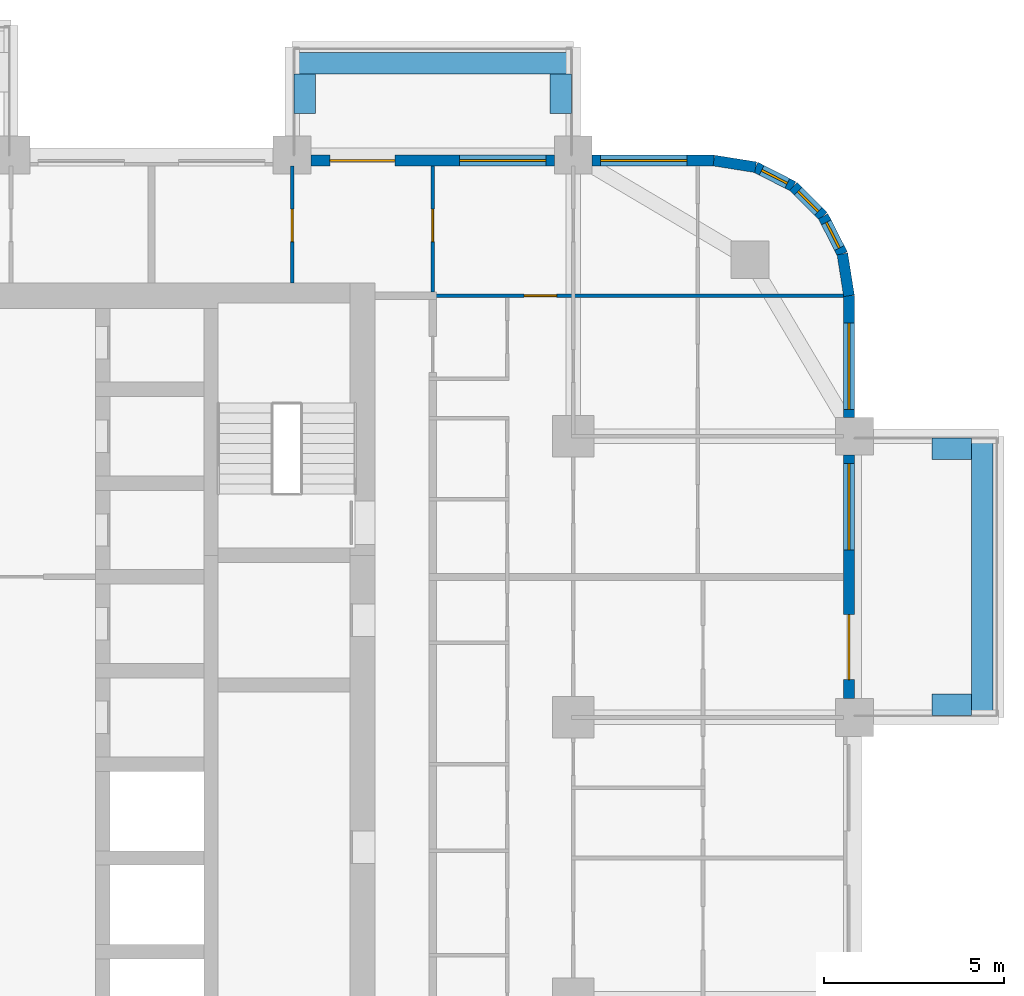
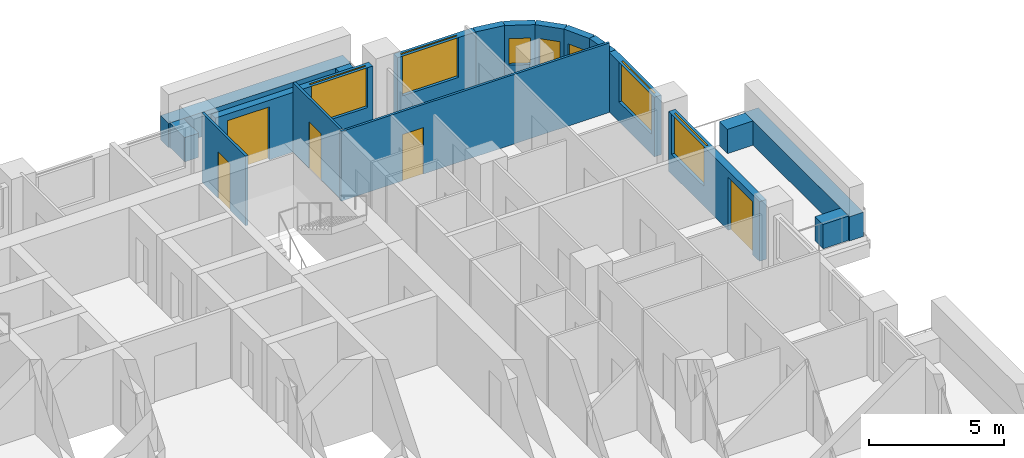
# One storey, part 13 of 17: 18 walls, 7 windows, 5 doors, 12 openings.
"""IFC4 building model written with IfcOpenShell, lengths in metres."""

from ifc_helpers import new_model, si_unit, direction, frame, frame_2d, origin, place, context, subcontext, project, spatial, rectangle, extrude, material, layer, layer_set, type_object, element, fill, save


model = new_model("IFC4")

# Units and contexts
model_context = context("Model", 3, precision=1e-05, world=origin(), true_north=direction((0.0, 1.0)))
body_context = subcontext(model_context, "Body", "Model", "MODEL_VIEW")
ifc_project = project(units=[si_unit("LENGTHUNIT", "METRE"), si_unit("AREAUNIT", "SQUARE_METRE"), si_unit("VOLUMEUNIT", "CUBIC_METRE"), si_unit("PLANEANGLEUNIT", "RADIAN"), si_unit("MASSUNIT", "GRAM", prefix="KILO")], contexts=[model_context])

# Site, building, storey
site_placement = place(None, origin())
site = spatial("IfcSite", under=ifc_project, at=site_placement, CompositionType="ELEMENT")
building_placement = place(site_placement, origin())
building = spatial("IfcBuilding", under=site, at=building_placement, Name="Ludao Terraces", CompositionType="ELEMENT")
storey_placement = place(building_placement, frame((0.0, 0.0, 19.5)))
storey = spatial("IfcBuildingStorey", under=building, at=storey_placement, Name="L04", CompositionType="ELEMENT", Elevation=19.5)

# Walls
ifc_material_1 = material(Name="Concrete C40", Category="concrete")
ifc_layer_1 = layer(ifc_material_1, 0.60009765625)
ifc_layer_set_1 = layer_set([ifc_layer_1], Name="ENV Planter trough 600")
wall_type_1 = type_object("IfcWallType", Name="ENV Planter trough 600", PredefinedType="USERDEFINED", material=ifc_layer_set_1)
wall_1_placement = place(storey_placement, frame((111.949951171875, 72.800048828125, 0.0), z_axis=(0.0, 0.0, 1.0), x_axis=(0.0, 1.0, 0.0)))
element("IfcWall", 1, at=wall_1_placement, inside=storey, type_object=wall_type_1, Name="PL-L04-E4", ObjectType="PLANTER", PredefinedType="USERDEFINED", context=body_context, shape_type="SweptSolid", body=[
    extrude(rectangle(XDim=7.800048828125, YDim=0.60009765625, at=frame_2d((3.89990234375, 0.0))), origin(), (0.0, 0.0, 1.0), 1.10009765625),
])
for number, where, z_axis, x_axis, name in (
    (2, (111.64990234375, 73.14990234375, 0.0), (0.0, 0.0, 1.0), (-1.0, 0.0, 0.0), "PL-L04-E4-SA"),
    (3, (111.64990234375, 80.25, 0.0), (0.0, 0.0, 1.0), (-1.0, 0.0, 0.0), "PL-L04-E4-SB"),
):
    element("IfcWall", number, at=place(storey_placement, frame(where, z_axis=z_axis, x_axis=x_axis)), inside=storey, type_object=wall_type_1, Name=name, ObjectType="PLANTER", PredefinedType="USERDEFINED", context=body_context, shape_type="SweptSolid", body=[
        extrude(rectangle(XDim=1.099853515625, YDim=0.60009765625, at=frame_2d((0.5498046875, 0.0))), origin(), (0.0, 0.0, 1.0), 1.10009765625),
    ])
wall_2_placement = place(storey_placement, frame((92.800048828125, 90.949951171875, 0.0), z_axis=(0.0, 0.0, 1.0), x_axis=(1.0, 0.0, 0.0)))
element("IfcWall", 4, at=wall_2_placement, inside=storey, type_object=wall_type_1, Name="PL-L04-N4", ObjectType="PLANTER", PredefinedType="USERDEFINED", context=body_context, shape_type="SweptSolid", body=[
    extrude(rectangle(XDim=7.800048828125, YDim=0.60009765625, at=frame_2d((3.89990234375, 0.0))), origin(), (0.0, 0.0, 1.0), 1.10009765625),
])
for number, where, z_axis, x_axis, name in (
    (5, (93.14990234375, 90.64990234375, 0.0), (0.0, 0.0, 1.0), (0.0, -1.0, 0.0), "PL-L04-N4-SA"),
    (6, (100.25, 90.64990234375, 0.0), (0.0, 0.0, 1.0), (0.0, -1.0, 0.0), "PL-L04-N4-SB"),
):
    element("IfcWall", number, at=place(storey_placement, frame(where, z_axis=z_axis, x_axis=x_axis)), inside=storey, type_object=wall_type_1, Name=name, ObjectType="PLANTER", PredefinedType="USERDEFINED", context=body_context, shape_type="SweptSolid", body=[
        extrude(rectangle(XDim=1.099853515625, YDim=0.60009765625, at=frame_2d((0.5498046875, 0.0))), origin(), (0.0, 0.0, 1.0), 1.10009765625),
    ])

# Wall, openings, door, window
ifc_material_2 = material(Name="Granite cladding", Category="masonry")
ifc_layer_2 = layer(ifc_material_2, 0.0400390625, Category="stone")
ifc_material_3 = material(Name="Mineral wool")
ifc_layer_3 = layer(ifc_material_3, 0.06005859375)
ifc_layer_4 = layer(ifc_material_1, 0.199951171875, Category="concrete")
ifc_layer_set_2 = layer_set([ifc_layer_2, ifc_layer_3, ifc_layer_4], Name="ENV Stone-clad wall 300")
wall_type_2 = type_object("IfcWallType", Name="ENV Stone-clad wall 300", PredefinedType="SOLIDWALL", material=ifc_layer_set_2)
wall_3_placement = place(storey_placement, frame((108.25, 73.324951171875, 0.0), z_axis=(0.0, 0.0, 1.0), x_axis=(0.0, 1.0, 0.0)))
wall_3 = element("IfcWall", 7, at=wall_3_placement, inside=storey, type_object=wall_type_2, Name="EW-L04-E5", PredefinedType="SOLIDWALL", context=body_context, shape_type="SweptSolid", body=[
    extrude(rectangle(XDim=6.75, YDim=0.300048828125, at=frame_2d((3.375, 0.0))), origin(), (0.0, 0.0, 1.0), 2.699951171875),
])
opening_1_placement = place(wall_3_placement, frame((0.52490234375, 0.0, 0.0)))
opening_1 = element("IfcOpeningElement", 8, at=opening_1_placement, cuts=wall_3, Name="Opening BD", PredefinedType="OPENING", context=body_context, shape_type="SweptSolid", body=[
    extrude(rectangle(XDim=1.800048828125, YDim=2.39990234375, at=frame_2d((0.89990234375, 1.199951171875))), frame((0.0, 0.16015625, 0.0), z_axis=(0.0, -1.0, 0.0), x_axis=(1.0, 0.0, 0.0)), (0.0, 0.0, 1.0), 0.320068359375),
])
opening_2_placement = place(wall_3_placement, frame((4.125, 0.0, 0.89990234375)))
opening_2 = element("IfcOpeningElement", 9, at=opening_2_placement, cuts=wall_3, Name="Opening W1", PredefinedType="OPENING", context=body_context, shape_type="SweptSolid", body=[
    extrude(rectangle(XDim=2.39990234375, YDim=1.800048828125, at=frame_2d((1.199951171875, 0.89990234375))), frame((0.0, 0.16015625, 0.0), z_axis=(0.0, -1.0, 0.0), x_axis=(1.0, 0.0, 0.0)), (0.0, 0.0, 1.0), 0.320068359375),
])
ifc_material_4 = material(Name="Aluminium glazed door", Category="aluminium")
ifc_layer_5 = layer(ifc_material_4, 0.06005859375)
ifc_layer_set_3 = layer_set([ifc_layer_5], Name="ENV Balcony door BD 1800x2400")
door_type_1 = type_object("IfcDoorType", Name="ENV Balcony door BD 1800x2400", OperationType="DOUBLE_DOOR_SINGLE_SWING", PredefinedType="DOOR", material=ifc_layer_set_3)
door_1_placement = place(opening_1_placement, origin())
door_1 = element("IfcDoor", 10, at=door_1_placement, inside=storey, type_object=door_type_1, Name="BD-L04-E5-1", OperationType="DOUBLE_DOOR_SINGLE_SWING", OverallHeight=2.39990234375, OverallWidth=1.800048828125, PredefinedType="DOOR", context=body_context, shape_type="SweptSolid", body=[
    extrude(rectangle(XDim=1.800048828125, YDim=2.39990234375, at=frame_2d((0.89990234375, 1.199951171875))), frame((0.0, 0.02490234375, 0.0), z_axis=(0.0, -1.0, 0.0), x_axis=(1.0, 0.0, 0.0)), (0.0, 0.0, 1.0), 0.050048828125),
])
fill(opening_1, door_1)
ifc_material_5 = material(Name="Clear glass in aluminium frame", Category="aluminium")
ifc_layer_6 = layer(ifc_material_5, 0.06005859375)
ifc_layer_set_4 = layer_set([ifc_layer_6], Name="ENV Window W1 2400x1800")
window_type_1 = type_object("IfcWindowType", Name="ENV Window W1 2400x1800", PartitioningType="DOUBLE_PANEL_VERTICAL", PredefinedType="WINDOW", material=ifc_layer_set_4)
window_1_placement = place(opening_2_placement, origin())
window_1 = element("IfcWindow", 11, at=window_1_placement, inside=storey, type_object=window_type_1, Name="W-L04-E5-2", OverallHeight=1.800048828125, OverallWidth=2.39990234375, PartitioningType="DOUBLE_PANEL_VERTICAL", PredefinedType="WINDOW", context=body_context, shape_type="SweptSolid", body=[
    extrude(rectangle(XDim=2.39990234375, YDim=1.800048828125, at=frame_2d((1.199951171875, 0.89990234375))), frame((0.0, 0.030029296875, 0.0), z_axis=(0.0, -1.0, 0.0), x_axis=(1.0, 0.0, 0.0)), (0.0, 0.0, 1.0), 0.06005859375),
])
fill(opening_2, window_1)

# Wall, opening, window
wall_4_placement = place(storey_placement, frame((108.25, 81.125, 0.0), z_axis=(0.0, 0.0, 1.0), x_axis=(0.0, 1.0, 0.0)))
wall_4 = element("IfcWall", 12, at=wall_4_placement, inside=storey, type_object=wall_type_2, Name="EW-L04-E6", PredefinedType="SOLIDWALL", context=body_context, shape_type="SweptSolid", body=[
    extrude(rectangle(XDim=3.375, YDim=0.300048828125, at=frame_2d((1.6875, 0.0))), origin(), (0.0, 0.0, 1.0), 2.699951171875),
])
opening_3_placement = place(wall_4_placement, frame((0.22509765625, 0.0, 0.89990234375)))
opening_3 = element("IfcOpeningElement", 13, at=opening_3_placement, cuts=wall_4, Name="Opening W1", PredefinedType="OPENING", context=body_context, shape_type="SweptSolid", body=[
    extrude(rectangle(XDim=2.39990234375, YDim=1.800048828125, at=frame_2d((1.199951171875, 0.89990234375))), frame((0.0, 0.16015625, 0.0), z_axis=(0.0, -1.0, 0.0), x_axis=(1.0, 0.0, 0.0)), (0.0, 0.0, 1.0), 0.320068359375),
])
window_2_placement = place(opening_3_placement, origin())
window_2 = element("IfcWindow", 14, at=window_2_placement, inside=storey, type_object=window_type_1, Name="W-L04-E6-1", OverallHeight=1.800048828125, OverallWidth=2.39990234375, PartitioningType="DOUBLE_PANEL_VERTICAL", PredefinedType="WINDOW", context=body_context, shape_type="SweptSolid", body=[
    extrude(rectangle(XDim=2.39990234375, YDim=1.800048828125, at=frame_2d((1.199951171875, 0.89990234375))), frame((0.0, 0.030029296875, 0.0), z_axis=(0.0, -1.0, 0.0), x_axis=(1.0, 0.0, 0.0)), (0.0, 0.0, 1.0), 0.06005859375),
])
fill(opening_3, window_2)

# Wall, openings, door, window
wall_5_placement = place(storey_placement, frame((93.324951171875, 88.25, 0.0), z_axis=(0.0, 0.0, 1.0), x_axis=(1.0, 0.0, 0.0)))
wall_5 = element("IfcWall", 15, at=wall_5_placement, inside=storey, type_object=wall_type_2, Name="EW-L04-N5", PredefinedType="SOLIDWALL", context=body_context, shape_type="SweptSolid", body=[
    extrude(rectangle(XDim=6.75, YDim=0.300048828125, at=frame_2d((3.375, 0.0))), origin(), (0.0, 0.0, 1.0), 2.699951171875),
])
opening_4_placement = place(wall_5_placement, frame((0.52490234375, 0.0, 0.0)))
opening_4 = element("IfcOpeningElement", 16, at=opening_4_placement, cuts=wall_5, Name="Opening BD", PredefinedType="OPENING", context=body_context, shape_type="SweptSolid", body=[
    extrude(rectangle(XDim=1.800048828125, YDim=2.39990234375, at=frame_2d((0.89990234375, 1.199951171875))), frame((0.0, 0.16015625, 0.0), z_axis=(0.0, -1.0, 0.0), x_axis=(1.0, 0.0, 0.0)), (0.0, 0.0, 1.0), 0.320068359375),
])
opening_5_placement = place(wall_5_placement, frame((4.125, 0.0, 0.89990234375)))
opening_5 = element("IfcOpeningElement", 17, at=opening_5_placement, cuts=wall_5, Name="Opening W1", PredefinedType="OPENING", context=body_context, shape_type="SweptSolid", body=[
    extrude(rectangle(XDim=2.39990234375, YDim=1.800048828125, at=frame_2d((1.199951171875, 0.89990234375))), frame((0.0, 0.16015625, 0.0), z_axis=(0.0, -1.0, 0.0), x_axis=(1.0, 0.0, 0.0)), (0.0, 0.0, 1.0), 0.320068359375),
])
door_2_placement = place(opening_4_placement, origin())
door_2 = element("IfcDoor", 18, at=door_2_placement, inside=storey, type_object=door_type_1, Name="BD-L04-N5-1", OperationType="DOUBLE_DOOR_SINGLE_SWING", OverallHeight=2.39990234375, OverallWidth=1.800048828125, PredefinedType="DOOR", context=body_context, shape_type="SweptSolid", body=[
    extrude(rectangle(XDim=1.800048828125, YDim=2.39990234375, at=frame_2d((0.89990234375, 1.199951171875))), frame((0.0, 0.02490234375, 0.0), z_axis=(0.0, -1.0, 0.0), x_axis=(1.0, 0.0, 0.0)), (0.0, 0.0, 1.0), 0.050048828125),
])
fill(opening_4, door_2)
window_3_placement = place(opening_5_placement, origin())
window_3 = element("IfcWindow", 19, at=window_3_placement, inside=storey, type_object=window_type_1, Name="W-L04-N5-2", OverallHeight=1.800048828125, OverallWidth=2.39990234375, PartitioningType="DOUBLE_PANEL_VERTICAL", PredefinedType="WINDOW", context=body_context, shape_type="SweptSolid", body=[
    extrude(rectangle(XDim=2.39990234375, YDim=1.800048828125, at=frame_2d((1.199951171875, 0.89990234375))), frame((0.0, 0.030029296875, 0.0), z_axis=(0.0, -1.0, 0.0), x_axis=(1.0, 0.0, 0.0)), (0.0, 0.0, 1.0), 0.06005859375),
])
fill(opening_5, window_3)

# Wall, opening, window
wall_6_placement = place(storey_placement, frame((101.125, 88.25, 0.0), z_axis=(0.0, 0.0, 1.0), x_axis=(1.0, 0.0, 0.0)))
wall_6 = element("IfcWall", 20, at=wall_6_placement, inside=storey, type_object=wall_type_2, Name="EW-L04-N6", PredefinedType="SOLIDWALL", context=body_context, shape_type="SweptSolid", body=[
    extrude(rectangle(XDim=3.375, YDim=0.300048828125, at=frame_2d((1.6875, 0.0))), origin(), (0.0, 0.0, 1.0), 2.699951171875),
])
opening_6_placement = place(wall_6_placement, frame((0.22509765625, 0.0, 0.89990234375)))
opening_6 = element("IfcOpeningElement", 21, at=opening_6_placement, cuts=wall_6, Name="Opening W1", PredefinedType="OPENING", context=body_context, shape_type="SweptSolid", body=[
    extrude(rectangle(XDim=2.39990234375, YDim=1.800048828125, at=frame_2d((1.199951171875, 0.89990234375))), frame((0.0, 0.16015625, 0.0), z_axis=(0.0, -1.0, 0.0), x_axis=(1.0, 0.0, 0.0)), (0.0, 0.0, 1.0), 0.320068359375),
])
window_4_placement = place(opening_6_placement, origin())
window_4 = element("IfcWindow", 22, at=window_4_placement, inside=storey, type_object=window_type_1, Name="W-L04-N6-1", OverallHeight=1.800048828125, OverallWidth=2.39990234375, PartitioningType="DOUBLE_PANEL_VERTICAL", PredefinedType="WINDOW", context=body_context, shape_type="SweptSolid", body=[
    extrude(rectangle(XDim=2.39990234375, YDim=1.800048828125, at=frame_2d((1.199951171875, 0.89990234375))), frame((0.0, 0.030029296875, 0.0), z_axis=(0.0, -1.0, 0.0), x_axis=(1.0, 0.0, 0.0)), (0.0, 0.0, 1.0), 0.06005859375),
])
fill(opening_6, window_4)

# Wall
wall_7_placement = place(storey_placement, frame((108.25, 84.5, 0.0), z_axis=(0.0, 0.0, 1.0), x_axis=(-0.156496880861, 0.987678452879, 0.0)))
element("IfcWall", 23, at=wall_7_placement, inside=storey, type_object=wall_type_2, Name="EW-L04-NE1", PredefinedType="SOLIDWALL", context=body_context, shape_type="SweptSolid", body=[
    extrude(rectangle(XDim=1.173095703125, YDim=0.300048828125, at=frame_2d((0.58642578125, 0.0))), origin(), (0.0, 0.0, 1.0), 2.699951171875),
])

# Wall, opening, window
wall_8_placement = place(storey_placement, frame((108.06640625, 85.65869140625, 0.0), z_axis=(0.0, 0.0, 1.0), x_axis=(-0.454025524128, 0.890988677504, 0.0)))
wall_8 = element("IfcWall", 24, at=wall_8_placement, inside=storey, type_object=wall_type_2, Name="EW-L04-NE2", PredefinedType="SOLIDWALL", context=body_context, shape_type="SweptSolid", body=[
    extrude(rectangle(XDim=1.17333984375, YDim=0.300048828125, at=frame_2d((0.586669921875, 0.0))), origin(), (0.0, 0.0, 1.0), 2.699951171875),
])
opening_7_placement = place(wall_8_placement, frame((0.1865234375, 0.0, 0.89990234375)))
opening_7 = element("IfcOpeningElement", 25, at=opening_7_placement, cuts=wall_8, Name="Opening W3", PredefinedType="OPENING", context=body_context, shape_type="SweptSolid", body=[
    extrude(rectangle(XDim=0.800048828125, YDim=1.199951171875, at=frame_2d((0.39990234375, 0.60009765625))), frame((0.0, 0.16015625, 0.0), z_axis=(0.0, -1.0, 0.0), x_axis=(1.0, 0.0, 0.0)), (0.0, 0.0, 1.0), 0.320068359375),
])
ifc_layer_7 = layer(ifc_material_5, 0.06005859375)
ifc_layer_set_5 = layer_set([ifc_layer_7], Name="ENV Window W3 800x1200")
window_type_2 = type_object("IfcWindowType", Name="ENV Window W3 800x1200", PartitioningType="SINGLE_PANEL", PredefinedType="WINDOW", material=ifc_layer_set_5)
window_5_placement = place(opening_7_placement, origin())
window_5 = element("IfcWindow", 26, at=window_5_placement, inside=storey, type_object=window_type_2, Name="W-L04-NE2", OverallHeight=1.199951171875, OverallWidth=0.800048828125, PartitioningType="SINGLE_PANEL", PredefinedType="WINDOW", context=body_context, shape_type="SweptSolid", body=[
    extrude(rectangle(XDim=0.800048828125, YDim=1.199951171875, at=frame_2d((0.39990234375, 0.60009765625))), frame((0.0, 0.030029296875, 0.0), z_axis=(0.0, -1.0, 0.0), x_axis=(1.0, 0.0, 0.0)), (0.0, 0.0, 1.0), 0.06005859375),
])
fill(opening_7, window_5)

wall_9_placement = place(storey_placement, frame((107.53369140625, 86.7041015625, 0.0), z_axis=(0.0, 0.0, 1.0), x_axis=(-0.707106781187, 0.707106781187, 0.0)))
wall_9 = element("IfcWall", 27, at=wall_9_placement, inside=storey, type_object=wall_type_2, Name="EW-L04-NE3", PredefinedType="SOLIDWALL", context=body_context, shape_type="SweptSolid", body=[
    extrude(rectangle(XDim=1.173095703125, YDim=0.300048828125, at=frame_2d((0.58642578125, 0.0))), origin(), (0.0, 0.0, 1.0), 2.699951171875),
])
opening_8_placement = place(wall_9_placement, frame((0.1865234375, 0.0, 0.89990234375)))
opening_8 = element("IfcOpeningElement", 28, at=opening_8_placement, cuts=wall_9, Name="Opening W3", PredefinedType="OPENING", context=body_context, shape_type="SweptSolid", body=[
    extrude(rectangle(XDim=0.800048828125, YDim=1.199951171875, at=frame_2d((0.39990234375, 0.60009765625))), frame((0.0, 0.16015625, 0.0), z_axis=(0.0, -1.0, 0.0), x_axis=(1.0, 0.0, 0.0)), (0.0, 0.0, 1.0), 0.320068359375),
])
window_6_placement = place(opening_8_placement, origin())
window_6 = element("IfcWindow", 29, at=window_6_placement, inside=storey, type_object=window_type_2, Name="W-L04-NE3", OverallHeight=1.199951171875, OverallWidth=0.800048828125, PartitioningType="SINGLE_PANEL", PredefinedType="WINDOW", context=body_context, shape_type="SweptSolid", body=[
    extrude(rectangle(XDim=0.800048828125, YDim=1.199951171875, at=frame_2d((0.39990234375, 0.60009765625))), frame((0.0, 0.030029296875, 0.0), z_axis=(0.0, -1.0, 0.0), x_axis=(1.0, 0.0, 0.0)), (0.0, 0.0, 1.0), 0.06005859375),
])
fill(opening_8, window_6)

wall_10_placement = place(storey_placement, frame((106.7041015625, 87.53369140625, 0.0), z_axis=(0.0, 0.0, 1.0), x_axis=(-0.890988677504, 0.454025524128, 0.0)))
wall_10 = element("IfcWall", 30, at=wall_10_placement, inside=storey, type_object=wall_type_2, Name="EW-L04-NE4", PredefinedType="SOLIDWALL", context=body_context, shape_type="SweptSolid", body=[
    extrude(rectangle(XDim=1.17333984375, YDim=0.300048828125, at=frame_2d((0.586669921875, 0.0))), origin(), (0.0, 0.0, 1.0), 2.699951171875),
])
opening_9_placement = place(wall_10_placement, frame((0.1865234375, 0.0, 0.89990234375)))
opening_9 = element("IfcOpeningElement", 31, at=opening_9_placement, cuts=wall_10, Name="Opening W3", PredefinedType="OPENING", context=body_context, shape_type="SweptSolid", body=[
    extrude(rectangle(XDim=0.800048828125, YDim=1.199951171875, at=frame_2d((0.39990234375, 0.60009765625))), frame((0.0, 0.16015625, 0.0), z_axis=(0.0, -1.0, 0.0), x_axis=(1.0, 0.0, 0.0)), (0.0, 0.0, 1.0), 0.320068359375),
])
window_7_placement = place(opening_9_placement, origin())
window_7 = element("IfcWindow", 32, at=window_7_placement, inside=storey, type_object=window_type_2, Name="W-L04-NE4", OverallHeight=1.199951171875, OverallWidth=0.800048828125, PartitioningType="SINGLE_PANEL", PredefinedType="WINDOW", context=body_context, shape_type="SweptSolid", body=[
    extrude(rectangle(XDim=0.800048828125, YDim=1.199951171875, at=frame_2d((0.39990234375, 0.60009765625))), frame((0.0, 0.030029296875, 0.0), z_axis=(0.0, -1.0, 0.0), x_axis=(1.0, 0.0, 0.0)), (0.0, 0.0, 1.0), 0.06005859375),
])
fill(opening_9, window_7)

# Wall
wall_11_placement = place(storey_placement, frame((105.65869140625, 88.06640625, 0.0), z_axis=(0.0, 0.0, 1.0), x_axis=(-0.987678452879, 0.156496880861, 0.0)))
element("IfcWall", 33, at=wall_11_placement, inside=storey, type_object=wall_type_2, Name="EW-L04-NE5", PredefinedType="SOLIDWALL", context=body_context, shape_type="SweptSolid", body=[
    extrude(rectangle(XDim=1.173095703125, YDim=0.300048828125, at=frame_2d((0.58642578125, 0.0))), origin(), (0.0, 0.0, 1.0), 2.699951171875),
])

# Wall, opening, door
ifc_material_6 = material(Name="Gypsum plasterboard", Category="gypsum")
ifc_layer_8 = layer(ifc_material_6, 0.012451171875, Category="gypsum")
ifc_layer_9 = layer(ifc_material_3, 0.06005859375, Name="insulation")
ifc_material_7 = material(Name="Steel Q235", Category="steel")
ifc_layer_10 = layer(ifc_material_7, 0.014892578125, Name="stud")
ifc_layer_11 = layer(ifc_material_6, 0.012451171875, Category="gypsum")
ifc_layer_set_6 = layer_set([ifc_layer_8, ifc_layer_9, ifc_layer_10, ifc_layer_11], Name="INT Partition 100")
wall_type_3 = type_object("IfcWallType", Name="INT Partition 100", PredefinedType="PARTITIONING", material=ifc_layer_set_6)
wall_12_placement = place(storey_placement, frame((96.60009765625, 84.5, 0.0), z_axis=(0.0, 0.0, 1.0), x_axis=(1.0, 0.0, 0.0)))
wall_12 = element("IfcWall", 34, at=wall_12_placement, inside=storey, type_object=wall_type_3, Name="PW-L04-PW072", PredefinedType="PARTITIONING", context=body_context, shape_type="SweptSolid", body=[
    extrude(rectangle(XDim=11.5, YDim=0.10009765625, at=frame_2d((5.75, 0.0))), origin(), (0.0, 0.0, 1.0), 3.14990234375),
])
opening_10_placement = place(wall_12_placement, frame((2.635009765625, 0.0, 0.0)))
opening_10 = element("IfcOpeningElement", 35, at=opening_10_placement, cuts=wall_12, Name="Opening R01-148", PredefinedType="OPENING", context=body_context, shape_type="SweptSolid", body=[
    extrude(rectangle(XDim=0.89990234375, YDim=2.10009765625, at=frame_2d((0.449951171875, 1.050048828125))), frame((0.0, 0.06005859375, 0.0), z_axis=(0.0, -1.0, 0.0), x_axis=(1.0, 0.0, 0.0)), (0.0, 0.0, 1.0), 0.1201171875),
])
ifc_material_8 = material(Name="Timber door leaf", Category="wood")
door_type_2 = type_object("IfcDoorType", Name="INT Room door 900", OperationType="SINGLE_SWING_LEFT", PredefinedType="DOOR", material=ifc_material_8)
door_3_placement = place(opening_10_placement, origin())
door_3 = element("IfcDoor", 36, at=door_3_placement, inside=storey, type_object=door_type_2, Name="DOOR 148", OperationType="SINGLE_SWING_LEFT", OverallHeight=2.10009765625, OverallWidth=0.89990234375, PredefinedType="DOOR", context=body_context, shape_type="SweptSolid", body=[
    extrude(rectangle(XDim=0.89990234375, YDim=2.10009765625, at=frame_2d((0.449951171875, 1.050048828125))), frame((0.0, 0.02490234375, 0.0), z_axis=(0.0, -1.0, 0.0), x_axis=(1.0, 0.0, 0.0)), (0.0, 0.0, 1.0), 0.050048828125),
])
fill(opening_10, door_3)

wall_13_placement = place(storey_placement, frame((92.800048828125, 84.85009765625, 0.0), z_axis=(0.0, 0.0, 1.0), x_axis=(0.0, 1.0, 0.0)))
wall_13 = element("IfcWall", 37, at=wall_13_placement, inside=storey, type_object=wall_type_3, Name="PW-L04-PW106", PredefinedType="PARTITIONING", context=body_context, shape_type="SweptSolid", body=[
    extrude(rectangle(XDim=3.25, YDim=0.10009765625, at=frame_2d((1.625, 0.0))), origin(), (0.0, 0.0, 1.0), 3.14990234375),
])
opening_11_placement = place(wall_13_placement, frame((1.14990234375, 0.0, 0.0)))
opening_11 = element("IfcOpeningElement", 38, at=opening_11_placement, cuts=wall_13, Name="Opening R01-155", PredefinedType="OPENING", context=body_context, shape_type="SweptSolid", body=[
    extrude(rectangle(XDim=0.89990234375, YDim=2.10009765625, at=frame_2d((0.449951171875, 1.050048828125))), frame((0.0, 0.06005859375, 0.0), z_axis=(0.0, -1.0, 0.0), x_axis=(1.0, 0.0, 0.0)), (0.0, 0.0, 1.0), 0.1201171875),
])
door_4_placement = place(opening_11_placement, origin())
door_4 = element("IfcDoor", 39, at=door_4_placement, inside=storey, type_object=door_type_2, Name="DOOR 155", OperationType="SINGLE_SWING_LEFT", OverallHeight=2.10009765625, OverallWidth=0.89990234375, PredefinedType="DOOR", context=body_context, shape_type="SweptSolid", body=[
    extrude(rectangle(XDim=0.89990234375, YDim=2.10009765625, at=frame_2d((0.449951171875, 1.050048828125))), frame((0.0, 0.02490234375, 0.0), z_axis=(0.0, -1.0, 0.0), x_axis=(1.0, 0.0, 0.0)), (0.0, 0.0, 1.0), 0.050048828125),
])
fill(opening_11, door_4)

wall_14_placement = place(storey_placement, frame((96.699951171875, 84.60009765625, 0.0), z_axis=(0.0, 0.0, 1.0), x_axis=(0.0, 1.0, 0.0)))
wall_14 = element("IfcWall", 40, at=wall_14_placement, inside=storey, type_object=wall_type_3, Name="PW-L04-PW111", PredefinedType="PARTITIONING", context=body_context, shape_type="SweptSolid", body=[
    extrude(rectangle(XDim=3.5, YDim=0.10009765625, at=frame_2d((1.75, 0.0))), origin(), (0.0, 0.0, 1.0), 3.14990234375),
])
opening_12_placement = place(wall_14_placement, frame((1.39990234375, 0.0, 0.0)))
opening_12 = element("IfcOpeningElement", 41, at=opening_12_placement, cuts=wall_14, Name="Opening R01-156", PredefinedType="OPENING", context=body_context, shape_type="SweptSolid", body=[
    extrude(rectangle(XDim=0.89990234375, YDim=2.10009765625, at=frame_2d((0.449951171875, 1.050048828125))), frame((0.0, 0.06005859375, 0.0), z_axis=(0.0, -1.0, 0.0), x_axis=(1.0, 0.0, 0.0)), (0.0, 0.0, 1.0), 0.1201171875),
])
door_5_placement = place(opening_12_placement, origin())
door_5 = element("IfcDoor", 42, at=door_5_placement, inside=storey, type_object=door_type_2, Name="DOOR 156", OperationType="SINGLE_SWING_RIGHT", OverallHeight=2.10009765625, OverallWidth=0.89990234375, PredefinedType="DOOR", context=body_context, shape_type="SweptSolid", body=[
    extrude(rectangle(XDim=0.89990234375, YDim=2.10009765625, at=frame_2d((0.449951171875, 1.050048828125))), frame((0.0, 0.02490234375, 0.0), z_axis=(0.0, -1.0, 0.0), x_axis=(1.0, 0.0, 0.0)), (0.0, 0.0, 1.0), 0.050048828125),
])
fill(opening_12, door_5)

save(model, "model.ifc")
